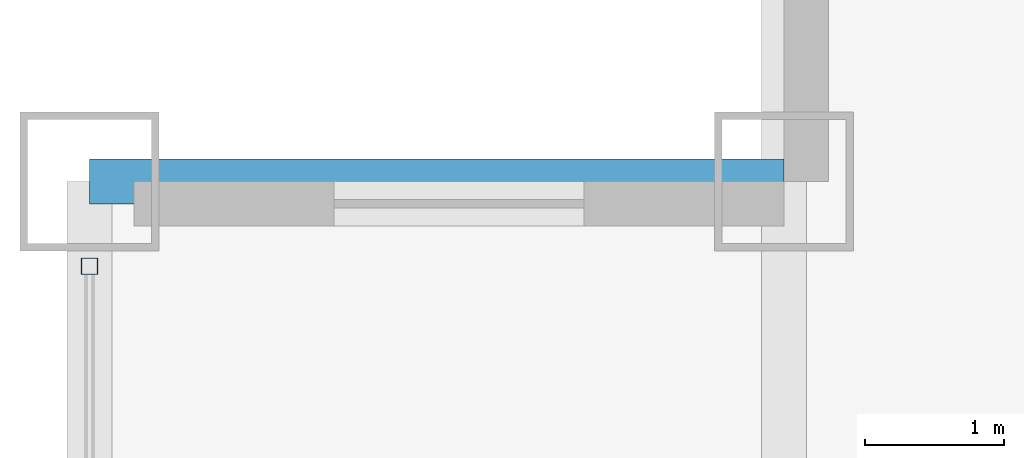
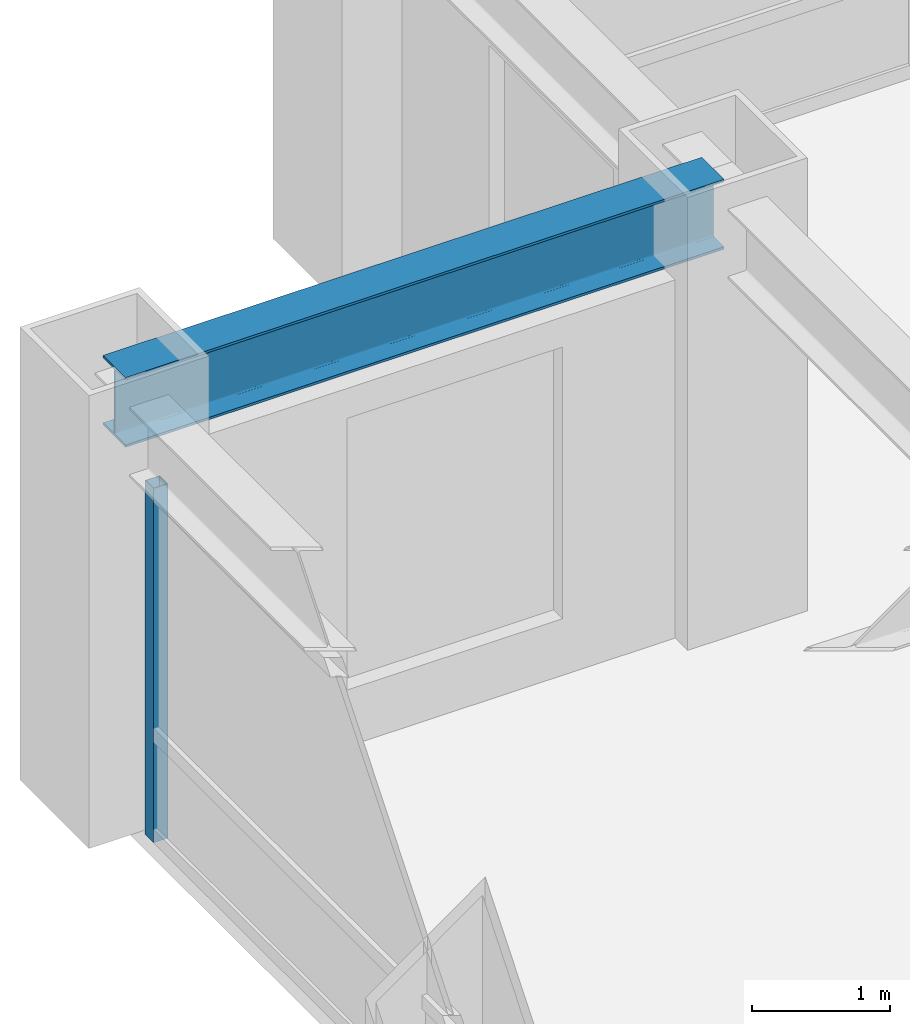
# One storey, part 12 of 25: 1 beam, 1 member, 1 element without a shape of its own.
"""IFC4 building model written with IfcOpenShell, lengths in metres."""

from ifc_helpers import new_model, si_unit, direction, frame, origin, origin_2d, place, context, subcontext, project, spatial, hollow_rectangle, i_section, extrude, source, transform, mapped, material, material_profile, profile_set, type_object, element, aggregate, save


model = new_model("IFC4")

# Units and contexts
model_context = context("Model", 3, precision=1e-05, world=origin(), true_north=direction((0.0, 1.0)))
body_context = subcontext(model_context, "Body", "Model", "MODEL_VIEW")
ifc_project = project(units=[si_unit("LENGTHUNIT", "METRE"), si_unit("AREAUNIT", "SQUARE_METRE"), si_unit("VOLUMEUNIT", "CUBIC_METRE"), si_unit("PLANEANGLEUNIT", "RADIAN"), si_unit("MASSUNIT", "GRAM", prefix="KILO")], contexts=[model_context])

# Site, building, storey
site_placement = place(None, origin())
site = spatial("IfcSite", under=ifc_project, at=site_placement, CompositionType="ELEMENT")
building_placement = place(site_placement, origin())
building = spatial("IfcBuilding", under=site, at=building_placement, Name="Khorayat Bourse Tower", CompositionType="ELEMENT")
storey_placement = place(building_placement, frame((0.0, 0.0, 247.10009765625)))
storey = spatial("IfcBuildingStorey", under=building, at=storey_placement, Name="L58", CompositionType="ELEMENT", Elevation=247.10009765625)

# Beam
ifc_material_1 = material(Name="Steel ASTM A992 Grade 50", Category="steel")
ifc_material_profile_1 = material_profile(ifc_material_1, i_section(OverallWidth=0.324951171875, OverallDepth=0.615966796875, WebThickness=0.013916015625, FlangeThickness=0.021484375, FilletRadius=0.01611328125, at=origin_2d()), Name="W610X174")
ifc_profile_set_1 = profile_set([ifc_material_profile_1], Name="Steel ASTM A992 Grade 50")
beam_type = type_object("IfcBeamType", Name="BM-SPAN-610", PredefinedType="SPANDREL", material=ifc_profile_set_1)
shared_shape_1 = source(origin(), body_context, "Body", "SweptSolid", [
    extrude(i_section(OverallWidth=0.324951171875, OverallDepth=0.615966796875, WebThickness=0.013916015625, FlangeThickness=0.021484375, FilletRadius=0.01611328125, at=origin_2d()), origin(), (0.0, 0.0, 1.0), 5.0),
])
beam_placement = place(storey_placement, frame((-30.0, 25.0, 3.471923828125), z_axis=(1.0, 0.0, 0.0), x_axis=(0.0, 1.0, 0.0)))
element("IfcBeam", 1, at=beam_placement, inside=storey, type_object=beam_type, Name="L58 BM-SPAN-610 BM-L58-SPN-053", PredefinedType="SPANDREL", context=body_context, shape_type="MappedRepresentation", body=[
    mapped(shared_shape_1, transform((0.0, 0.0, 0.0), scale=1.0)),
])

# Curtain wall, member
ifc_material_2 = material(Name="Aluminium EN AW-6063 T6", Category="aluminium")
curtain_wall_type = type_object("IfcCurtainWallType", Name="CW-SYS-03", PredefinedType="NOTDEFINED", material=ifc_material_2)
curtain_wall_placement = place(storey_placement, origin())
curtain_wall = element("IfcCurtainWall", 2, at=curtain_wall_placement, inside=storey, type_object=curtain_wall_type, Name="L58 Curtain Wall CW-L58-W1", PredefinedType="NOTDEFINED")
ifc_material_profile_2 = material_profile(ifc_material_2, hollow_rectangle(XDim=0.1201171875, YDim=0.1201171875, WallThickness=0.0048828125, at=origin_2d()), Name="ALU 120x120x5")
ifc_profile_set_2 = profile_set([ifc_material_profile_2], Name="Aluminium EN AW-6063 T6")
member_type = type_object("IfcMemberType", Name="CWM-VERT-120", PredefinedType="MULLION", material=ifc_profile_set_2)
shared_shape_2 = source(origin(), body_context, "Body", "SweptSolid", [
    extrude(hollow_rectangle(XDim=0.1201171875, YDim=0.1201171875, WallThickness=0.0048828125, at=origin_2d()), origin(), (0.0, 0.0, 1.0), 3.1298828125),
])
member_placement = place(storey_placement, frame((-30.0, 24.389892578125, 0.0), z_axis=(0.0, 0.0, 1.0), x_axis=(-1.0, 0.0, 0.0)))
member = element("IfcMember", 3, at=member_placement, type_object=member_type, Name="CW-L58-W1 Vertical Mullion 3", PredefinedType="MULLION", context=body_context, shape_type="MappedRepresentation", body=[
    mapped(shared_shape_2, transform((0.0, 0.0, 0.0), scale=1.0)),
])
aggregate(curtain_wall, [member])

save(model, "model.ifc")
